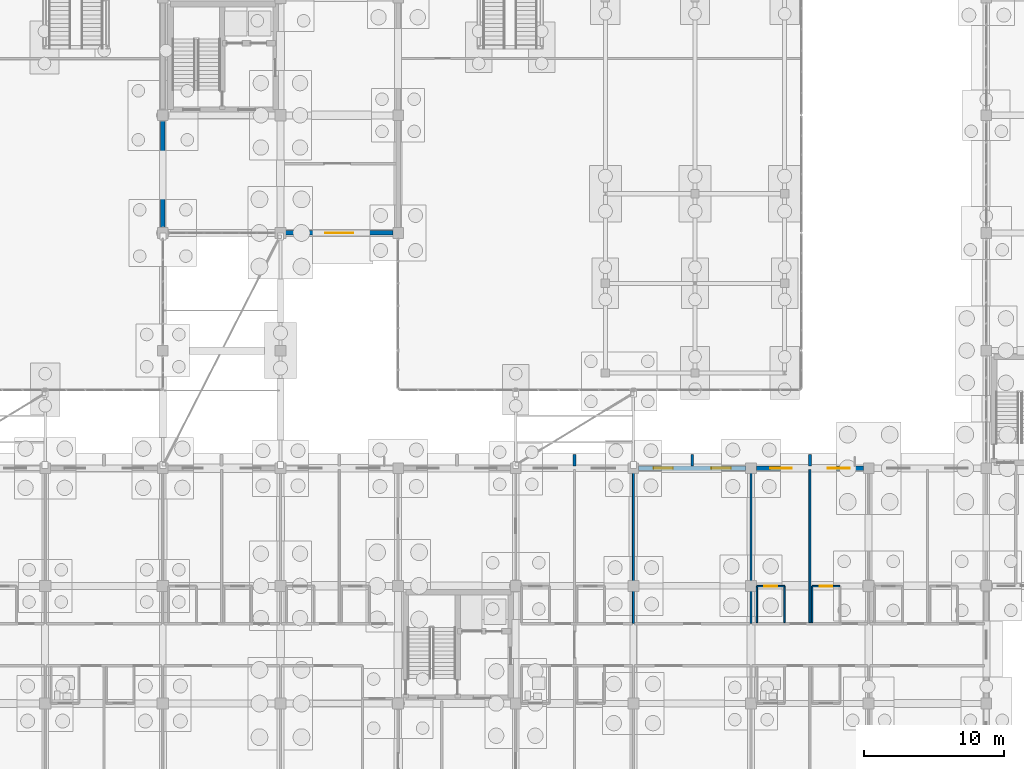
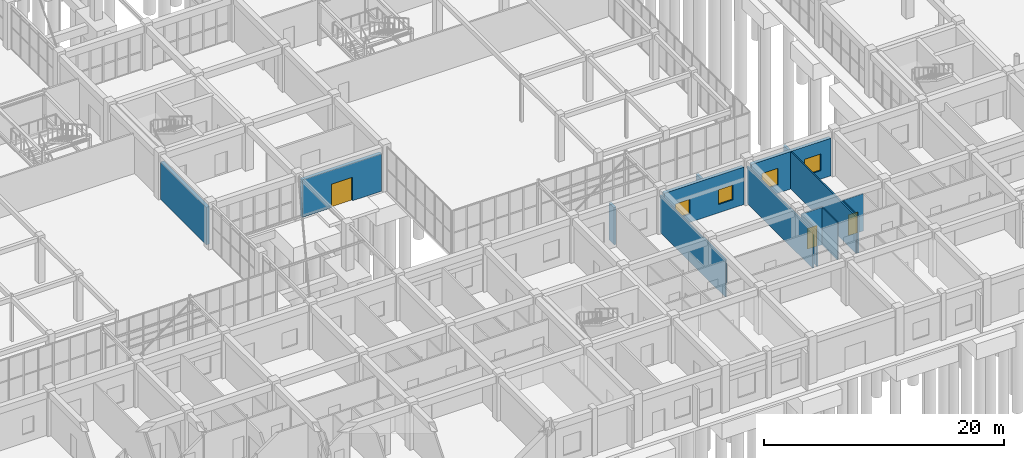
# One storey, part 158 of 192: 15 walls, 4 windows, 3 doors, 7 openings.
"""IFC4 building model written with IfcOpenShell, lengths in metres."""

from ifc_helpers import new_model, si_unit, direction, frame, frame_2d, origin, place, context, subcontext, project, spatial, rectangle, extrude, material, layer, layer_set, type_object, element, fill, save


model = new_model("IFC4")

# Units and contexts
model_context = context("Model", 3, precision=1e-05, world=origin(), true_north=direction((0.0, 1.0)))
body_context = subcontext(model_context, "Body", "Model", "MODEL_VIEW")
ifc_project = project(units=[si_unit("LENGTHUNIT", "METRE"), si_unit("AREAUNIT", "SQUARE_METRE"), si_unit("VOLUMEUNIT", "CUBIC_METRE"), si_unit("PLANEANGLEUNIT", "RADIAN"), si_unit("MASSUNIT", "GRAM", prefix="KILO")], contexts=[model_context])

# Site, building, storey
site_placement = place(None, origin())
site = spatial("IfcSite", under=ifc_project, at=site_placement, CompositionType="ELEMENT")
building_placement = place(site_placement, origin())
building = spatial("IfcBuilding", under=site, at=building_placement, Name="Trelvath General Hospital", CompositionType="ELEMENT")
storey_placement = place(building_placement, origin())
storey = spatial("IfcBuildingStorey", under=building, at=storey_placement, Name="L00", CompositionType="ELEMENT", Elevation=0.0)

# Walls
ifc_material_1 = material(Name="Precast concrete C40/50", Category="concrete")
ifc_layer_1 = layer(ifc_material_1, 0.199951171875)
ifc_layer_set_1 = layer_set([ifc_layer_1], Name="Precast concrete C40/50")
wall_type_1 = type_object("IfcWallType", Name="BriseSoleilRib 200", PredefinedType="ELEMENTEDWALL", material=ifc_layer_set_1)
for number, where, z_axis, x_axis, name in (
    (1, (105.0, 25.35009765625, 0.0), (0.0, 0.0, 1.0), (0.0, 1.0, 0.0), "Precast Concrete Brise-Soleil Rib Fin L00-45"),
    (2, (113.39990234375, 25.35009765625, 0.0), (0.0, 0.0, 1.0), (0.0, 1.0, 0.0), "Precast Concrete Brise-Soleil Rib Fin L00-48"),
    (3, (121.800048828125, 25.35009765625, 0.0), (0.0, 0.0, 1.0), (0.0, 1.0, 0.0), "Precast Concrete Brise-Soleil Rib Fin L00-51"),
):
    element("IfcWall", number, at=place(storey_placement, frame(where, z_axis=z_axis, x_axis=x_axis)), inside=storey, type_object=wall_type_1, Name=name, PredefinedType="ELEMENTEDWALL", context=body_context, shape_type="SweptSolid", body=[
        extrude(rectangle(XDim=0.849853515625, YDim=0.199951171875, at=frame_2d((0.4248046875, 0.0))), origin(), (0.0, 0.0, 1.0), 3.800048828125),
    ])
ifc_material_2 = material(Name="Moisture-resistant tile partition")
ifc_layer_2 = layer(ifc_material_2, 0.110107421875)
ifc_layer_set_2 = layer_set([ifc_layer_2], Name="Moisture-resistant tile partition")
wall_type_2 = type_object("IfcWallType", Name="EnSuiteWetWall 110", PredefinedType="PARTITIONING", material=ifc_layer_set_2)
for number, where, z_axis, x_axis, name in (
    (4, (118.02001953125, 14.169921875, 0.0), (0.0, 0.0, 1.0), (0.0, 1.0, 0.0), "En-Suite W Wall N L00-148"),
    (5, (120.0, 14.169921875, 0.0), (0.0, 0.0, 1.0), (0.0, 1.0, 0.0), "En-Suite E Wall N L00-149"),
):
    element("IfcWall", number, at=place(storey_placement, frame(where, z_axis=z_axis, x_axis=x_axis)), inside=storey, type_object=wall_type_2, Name=name, PredefinedType="PARTITIONING", context=body_context, shape_type="SweptSolid", body=[
        extrude(rectangle(XDim=2.610107421875, YDim=0.110107421875, at=frame_2d((1.30517578125, 0.0))), origin(), (0.0, 0.0, 1.0), 3.800048828125),
    ])

# Wall, opening, door
wall_1_placement = place(storey_placement, frame((118.02001953125, 16.780029296875, 0.0), z_axis=(0.0, 0.0, 1.0), x_axis=(1.0, 0.0, 0.0)))
wall_1 = element("IfcWall", 6, at=wall_1_placement, inside=storey, type_object=wall_type_2, Name="En-Suite Bathroom N Partition L00-150", PredefinedType="PARTITIONING", context=body_context, shape_type="SweptSolid", body=[
    extrude(rectangle(XDim=1.97998046875, YDim=0.110107421875, at=frame_2d((0.989990234375, 0.0))), origin(), (0.0, 0.0, 1.0), 3.800048828125),
])
opening_1_placement = place(wall_1_placement, frame((0.5400390625, 0.0, 0.0)))
opening_1 = element("IfcOpeningElement", 7, at=opening_1_placement, cuts=wall_1, Name="Opening D-0-0356", PredefinedType="OPENING", context=body_context, shape_type="SweptSolid", body=[
    extrude(rectangle(XDim=0.89990234375, YDim=2.10009765625, at=frame_2d((0.449951171875, 1.050048828125))), frame((0.0, 0.06494140625, 0.0), z_axis=(0.0, -1.0, 0.0), x_axis=(1.0, 0.0, 0.0)), (0.0, 0.0, 1.0), 0.130126953125),
])
ifc_material_3 = material(Name="Moisture-sealed timber leaf", Category="wood")
door_type_1 = type_object("IfcDoorType", Name="Door EnSuite 900x2100", OperationType="NOTDEFINED", PredefinedType="DOOR", material=ifc_material_3)
door_1_placement = place(opening_1_placement, origin())
door_1 = element("IfcDoor", 8, at=door_1_placement, inside=storey, type_object=door_type_1, Name="En-Suite Bathroom N Door L00-356", OperationType="SINGLE_SWING_RIGHT", OverallHeight=2.10009765625, OverallWidth=0.89990234375, PredefinedType="DOOR", context=body_context, shape_type="SweptSolid", body=[
    extrude(rectangle(XDim=0.89990234375, YDim=2.10009765625, at=frame_2d((0.449951171875, 1.050048828125))), frame((0.0, 0.02490234375, 0.0), z_axis=(0.0, -1.0, 0.0), x_axis=(1.0, 0.0, 0.0)), (0.0, 0.0, 1.0), 0.050048828125),
])
fill(opening_1, door_1)

# Wall
wall_2_placement = place(storey_placement, frame((121.9599609375, 14.169921875, 0.0), z_axis=(0.0, 0.0, 1.0), x_axis=(0.0, 1.0, 0.0)))
element("IfcWall", 9, at=wall_2_placement, inside=storey, type_object=wall_type_2, Name="En-Suite W Wall N L00-151", PredefinedType="PARTITIONING", context=body_context, shape_type="SweptSolid", body=[
    extrude(rectangle(XDim=2.610107421875, YDim=0.110107421875, at=frame_2d((1.30517578125, 0.0))), origin(), (0.0, 0.0, 1.0), 3.800048828125),
])

# Wall, opening, door
wall_3_placement = place(storey_placement, frame((121.9599609375, 16.780029296875, 0.0), z_axis=(0.0, 0.0, 1.0), x_axis=(1.0, 0.0, 0.0)))
wall_3 = element("IfcWall", 10, at=wall_3_placement, inside=storey, type_object=wall_type_2, Name="En-Suite Bathroom N Partition L00-153", PredefinedType="PARTITIONING", context=body_context, shape_type="SweptSolid", body=[
    extrude(rectangle(XDim=1.97998046875, YDim=0.110107421875, at=frame_2d((0.989990234375, 0.0))), origin(), (0.0, 0.0, 1.0), 3.800048828125),
])
opening_2_placement = place(wall_3_placement, frame((0.5400390625, 0.0, 0.0)))
opening_2 = element("IfcOpeningElement", 11, at=opening_2_placement, cuts=wall_3, Name="Opening D-0-0357", PredefinedType="OPENING", context=body_context, shape_type="SweptSolid", body=[
    extrude(rectangle(XDim=0.89990234375, YDim=2.10009765625, at=frame_2d((0.449951171875, 1.050048828125))), frame((0.0, 0.06494140625, 0.0), z_axis=(0.0, -1.0, 0.0), x_axis=(1.0, 0.0, 0.0)), (0.0, 0.0, 1.0), 0.130126953125),
])
door_2_placement = place(opening_2_placement, origin())
door_2 = element("IfcDoor", 12, at=door_2_placement, inside=storey, type_object=door_type_1, Name="En-Suite Bathroom N Door L00-357", OperationType="SINGLE_SWING_LEFT", OverallHeight=2.10009765625, OverallWidth=0.89990234375, PredefinedType="DOOR", context=body_context, shape_type="SweptSolid", body=[
    extrude(rectangle(XDim=0.89990234375, YDim=2.10009765625, at=frame_2d((0.449951171875, 1.050048828125))), frame((0.0, 0.02490234375, 0.0), z_axis=(0.0, -1.0, 0.0), x_axis=(1.0, 0.0, 0.0)), (0.0, 0.0, 1.0), 0.050048828125),
])
fill(opening_2, door_2)

# Wall
ifc_material_4 = material(Name="Concrete C35/45", Category="concrete")
ifc_layer_3 = layer(ifc_material_4, 0.320068359375)
ifc_layer_set_3 = layer_set([ifc_layer_3], Name="Concrete C35/45")
wall_type_3 = type_object("IfcWallType", Name="ExtThermalWall 320", PredefinedType="SOLIDWALL", material=ifc_layer_set_3)
wall_4_placement = place(storey_placement, frame((75.60009765625, 42.375, 0.0), z_axis=(0.0, 0.0, 1.0), x_axis=(0.0, 1.0, 0.0)))
element("IfcWall", 13, at=wall_4_placement, inside=storey, type_object=wall_type_3, Name="Exterior Concrete Wall L00-51", PredefinedType="SOLIDWALL", context=body_context, shape_type="SweptSolid", body=[
    extrude(rectangle(XDim=7.64990234375, YDim=0.320068359375, at=frame_2d((3.824951171875, 0.0))), origin(), (0.0, 0.0, 1.0), 3.820068359375),
])

# Wall, opening, door
wall_5_placement = place(storey_placement, frame((92.02490234375, 42.0, 0.0), z_axis=(0.0, 0.0, 1.0), x_axis=(-1.0, 0.0, 0.0)))
wall_5 = element("IfcWall", 14, at=wall_5_placement, inside=storey, type_object=wall_type_3, Name="Exterior Concrete Wall L00-58", PredefinedType="SOLIDWALL", context=body_context, shape_type="SweptSolid", body=[
    extrude(rectangle(XDim=7.64990234375, YDim=0.320068359375, at=frame_2d((3.824951171875, 0.0))), origin(), (0.0, 0.0, 1.0), 3.820068359375),
])
opening_3_placement = place(wall_5_placement, frame((2.824951171875, 0.0, 0.0)))
opening_3 = element("IfcOpeningElement", 15, at=opening_3_placement, cuts=wall_5, Name="Opening E07", PredefinedType="OPENING", context=body_context, shape_type="SweptSolid", body=[
    extrude(rectangle(XDim=2.0, YDim=2.39990234375, at=frame_2d((1.0, 1.199951171875))), frame((0.0, 0.169921875, 0.0), z_axis=(0.0, -1.0, 0.0), x_axis=(1.0, 0.0, 0.0)), (0.0, 0.0, 1.0), 0.340087890625),
])
ifc_material_5 = material(Name="Thermally broken glazed exit pair")
door_type_2 = type_object("IfcDoorType", Name="Door GradeExit 2000x2400", OperationType="DOUBLE_SWING_LEFT", PredefinedType="DOOR", material=ifc_material_5)
door_3_placement = place(opening_3_placement, origin())
door_3 = element("IfcDoor", 16, at=door_3_placement, inside=storey, type_object=door_type_2, Name="Pedestrian Final Exit Door E07", OperationType="DOUBLE_SWING_LEFT", OverallHeight=2.39990234375, OverallWidth=2.0, PredefinedType="DOOR", context=body_context, shape_type="SweptSolid", body=[
    extrude(rectangle(XDim=2.0, YDim=2.39990234375, at=frame_2d((1.0, 1.199951171875))), frame((0.0, 0.02490234375, 0.0), z_axis=(0.0, -1.0, 0.0), x_axis=(1.0, 0.0, 0.0)), (0.0, 0.0, 1.0), 0.050048828125),
])
fill(opening_3, door_3)

# Wall, openings, windows
wall_6_placement = place(storey_placement, frame((109.574951171875, 25.199951171875, 0.0), z_axis=(0.0, 0.0, 1.0), x_axis=(1.0, 0.0, 0.0)))
wall_6 = element("IfcWall", 17, at=wall_6_placement, inside=storey, type_object=wall_type_3, Name="Exterior Concrete Wall L00-73", PredefinedType="SOLIDWALL", context=body_context, shape_type="SweptSolid", body=[
    extrude(rectangle(XDim=7.650146484375, YDim=0.320068359375, at=frame_2d((3.8251953125, 0.0))), origin(), (0.0, 0.0, 1.0), 3.820068359375),
])
opening_4_placement = place(wall_6_placement, frame((1.069580078125, 0.0, 0.85009765625)))
opening_4 = element("IfcOpeningElement", 18, at=opening_4_placement, cuts=wall_6, Name="Opening WN-0-103", PredefinedType="OPENING", context=body_context, shape_type="SweptSolid", body=[
    extrude(rectangle(XDim=1.3798828125, YDim=1.5, at=frame_2d((0.68994140625, 0.75))), frame((0.0, 0.169921875, 0.0), z_axis=(0.0, -1.0, 0.0), x_axis=(1.0, 0.0, 0.0)), (0.0, 0.0, 1.0), 0.340087890625),
])
opening_5_placement = place(wall_6_placement, frame((5.200439453125, 0.0, 0.85009765625)))
opening_5 = element("IfcOpeningElement", 19, at=opening_5_placement, cuts=wall_6, Name="Opening WN-0-104", PredefinedType="OPENING", context=body_context, shape_type="SweptSolid", body=[
    extrude(rectangle(XDim=1.3798828125, YDim=1.5, at=frame_2d((0.68994140625, 0.75))), frame((0.0, 0.169921875, 0.0), z_axis=(0.0, -1.0, 0.0), x_axis=(1.0, 0.0, 0.0)), (0.0, 0.0, 1.0), 0.340087890625),
])
ifc_material_6 = material(Name="Low-E laminated glass", Category="glass")
window_type_1 = type_object("IfcWindowType", Name="Window Admin 1380x1500", PartitioningType="SINGLE_PANEL", PredefinedType="WINDOW", material=ifc_material_6)
window_1_placement = place(opening_4_placement, origin())
window_1 = element("IfcWindow", 20, at=window_1_placement, inside=storey, type_object=window_type_1, Name="Solar Reveal Window L00-103", OverallHeight=1.5, OverallWidth=1.3798828125, PartitioningType="SINGLE_PANEL", PredefinedType="WINDOW", context=body_context, shape_type="SweptSolid", body=[
    extrude(rectangle(XDim=1.3798828125, YDim=1.5, at=frame_2d((0.68994140625, 0.75))), frame((0.0, 0.030029296875, 0.0), z_axis=(0.0, -1.0, 0.0), x_axis=(1.0, 0.0, 0.0)), (0.0, 0.0, 1.0), 0.06005859375),
])
fill(opening_4, window_1)
window_2_placement = place(opening_5_placement, origin())
window_2 = element("IfcWindow", 21, at=window_2_placement, inside=storey, type_object=window_type_1, Name="Solar Reveal Window L00-104", OverallHeight=1.5, OverallWidth=1.3798828125, PartitioningType="SINGLE_PANEL", PredefinedType="WINDOW", context=body_context, shape_type="SweptSolid", body=[
    extrude(rectangle(XDim=1.3798828125, YDim=1.5, at=frame_2d((0.68994140625, 0.75))), frame((0.0, 0.030029296875, 0.0), z_axis=(0.0, -1.0, 0.0), x_axis=(1.0, 0.0, 0.0)), (0.0, 0.0, 1.0), 0.06005859375),
])
fill(opening_5, window_2)

wall_7_placement = place(storey_placement, frame((117.97509765625, 25.199951171875, 0.0), z_axis=(0.0, 0.0, 1.0), x_axis=(1.0, 0.0, 0.0)))
wall_7 = element("IfcWall", 22, at=wall_7_placement, inside=storey, type_object=wall_type_3, Name="Exterior Concrete Wall L00-77", PredefinedType="SOLIDWALL", context=body_context, shape_type="SweptSolid", body=[
    extrude(rectangle(XDim=7.64990234375, YDim=0.320068359375, at=frame_2d((3.824951171875, 0.0))), origin(), (0.0, 0.0, 1.0), 3.820068359375),
])
opening_6_placement = place(wall_7_placement, frame((0.9794921875, 0.0, 0.85009765625)))
opening_6 = element("IfcOpeningElement", 23, at=opening_6_placement, cuts=wall_7, Name="Opening WN-0-109", PredefinedType="OPENING", context=body_context, shape_type="SweptSolid", body=[
    extrude(rectangle(XDim=1.56005859375, YDim=1.699951171875, at=frame_2d((0.780029296875, 0.85009765625))), frame((0.0, 0.169921875, 0.0), z_axis=(0.0, -1.0, 0.0), x_axis=(1.0, 0.0, 0.0)), (0.0, 0.0, 1.0), 0.340087890625),
])
opening_7_placement = place(wall_7_placement, frame((5.110595703125, 0.0, 0.85009765625)))
opening_7 = element("IfcOpeningElement", 24, at=opening_7_placement, cuts=wall_7, Name="Opening WN-0-110", PredefinedType="OPENING", context=body_context, shape_type="SweptSolid", body=[
    extrude(rectangle(XDim=1.56005859375, YDim=1.699951171875, at=frame_2d((0.780029296875, 0.85009765625))), frame((0.0, 0.169921875, 0.0), z_axis=(0.0, -1.0, 0.0), x_axis=(1.0, 0.0, 0.0)), (0.0, 0.0, 1.0), 0.340087890625),
])
ifc_material_7 = material(Name="Low-E laminated glass", Category="glass")
window_type_2 = type_object("IfcWindowType", Name="Window Dialysis 1560x1700", PartitioningType="DOUBLE_PANEL_VERTICAL", PredefinedType="WINDOW", material=ifc_material_7)
window_3_placement = place(opening_6_placement, origin())
window_3 = element("IfcWindow", 25, at=window_3_placement, inside=storey, type_object=window_type_2, Name="Solar Reveal Window L00-109", OverallHeight=1.699951171875, OverallWidth=1.56005859375, PartitioningType="SINGLE_PANEL", PredefinedType="WINDOW", context=body_context, shape_type="SweptSolid", body=[
    extrude(rectangle(XDim=1.56005859375, YDim=1.699951171875, at=frame_2d((0.780029296875, 0.85009765625))), frame((0.0, 0.030029296875, 0.0), z_axis=(0.0, -1.0, 0.0), x_axis=(1.0, 0.0, 0.0)), (0.0, 0.0, 1.0), 0.06005859375),
])
fill(opening_6, window_3)
window_4_placement = place(opening_7_placement, origin())
window_4 = element("IfcWindow", 26, at=window_4_placement, inside=storey, type_object=window_type_2, Name="Solar Reveal Window L00-110", OverallHeight=1.699951171875, OverallWidth=1.56005859375, PartitioningType="SINGLE_PANEL", PredefinedType="WINDOW", context=body_context, shape_type="SweptSolid", body=[
    extrude(rectangle(XDim=1.56005859375, YDim=1.699951171875, at=frame_2d((0.780029296875, 0.85009765625))), frame((0.0, 0.030029296875, 0.0), z_axis=(0.0, -1.0, 0.0), x_axis=(1.0, 0.0, 0.0)), (0.0, 0.0, 1.0), 0.06005859375),
])
fill(opening_7, window_4)

# Walls
ifc_material_8 = material(Name="Gypsum acoustic steel-stud partition", Category="steel")
ifc_layer_4 = layer(ifc_material_8, 0.1298828125)
ifc_layer_set_4 = layer_set([ifc_layer_4], Name="Gypsum acoustic steel-stud partition")
wall_type_4 = type_object("IfcWallType", Name="WardPartition 130", PredefinedType="PARTITIONING", material=ifc_layer_set_4)
for number, where, z_axis, x_axis, name in (
    (27, (109.199951171875, 14.1201171875, 0.0), (0.0, 0.0, 1.0), (0.0, 1.0, 0.0), "Inter-Bay Ward Partition N L00-133"),
    (28, (117.60009765625, 14.1201171875, 0.0), (0.0, 0.0, 1.0), (0.0, 1.0, 0.0), "Inter-Bay Ward Partition N L00-137"),
):
    element("IfcWall", number, at=place(storey_placement, frame(where, z_axis=z_axis, x_axis=x_axis)), inside=storey, type_object=wall_type_4, Name=name, PredefinedType="PARTITIONING", context=body_context, shape_type="SweptSolid", body=[
        extrude(rectangle(XDim=10.93994140625, YDim=0.1298828125, at=frame_2d((5.469970703125, 0.0))), origin(), (0.0, 0.0, 1.0), 3.800048828125),
    ])
wall_8_placement = place(storey_placement, frame((121.800048828125, 14.169921875, 0.0), z_axis=(0.0, 0.0, 1.0), x_axis=(0.0, 1.0, 0.0)))
element("IfcWall", 29, at=wall_8_placement, inside=storey, type_object=wall_type_4, Name="Room Dividing Partition N L00-147", PredefinedType="PARTITIONING", context=body_context, shape_type="SweptSolid", body=[
    extrude(rectangle(XDim=10.93017578125, YDim=0.1298828125, at=frame_2d((5.465087890625, 0.0))), origin(), (0.0, 0.0, 1.0), 3.800048828125),
])

save(model, "model.ifc")
